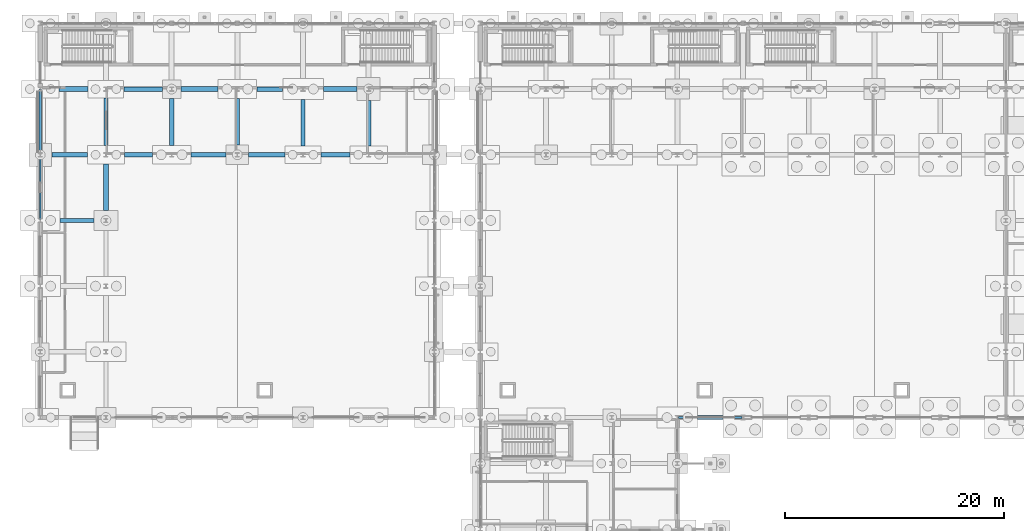
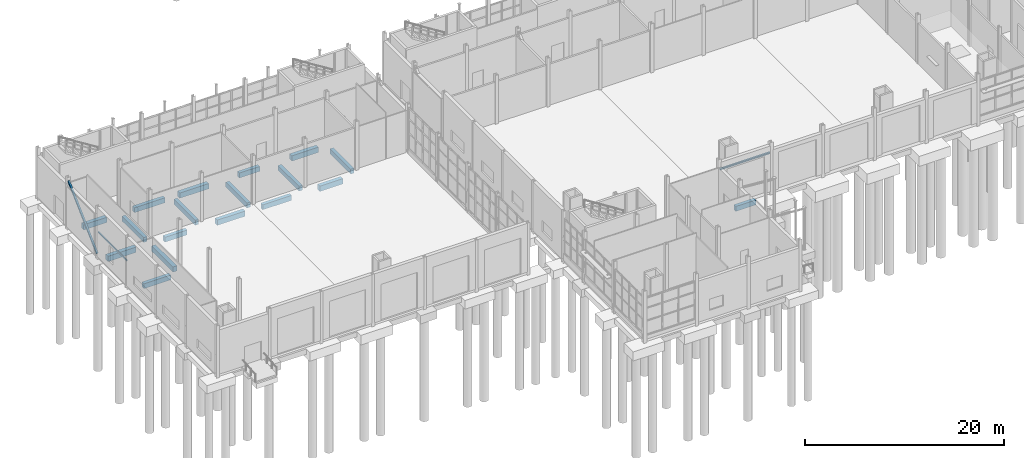
# One storey, part 34 of 120: 20 beams, 1 member.
"""IFC4 building model written with IfcOpenShell, lengths in metres."""

from ifc_helpers import new_model, si_unit, direction, frame, origin, origin_2d, place, context, subcontext, project, spatial, rectangle, hollow_rectangle, i_section, extrude, material, material_profile, profile_set, type_object, element, save


model = new_model("IFC4")

# Units and contexts
model_context = context("Model", 3, precision=1e-05, world=origin(), true_north=direction((0.0, 1.0)))
body_context = subcontext(model_context, "Body", "Model", "MODEL_VIEW")
ifc_project = project(units=[si_unit("LENGTHUNIT", "METRE"), si_unit("AREAUNIT", "SQUARE_METRE"), si_unit("VOLUMEUNIT", "CUBIC_METRE"), si_unit("PLANEANGLEUNIT", "RADIAN"), si_unit("MASSUNIT", "GRAM", prefix="KILO")], contexts=[model_context])

# Site, building, storey
site_placement = place(None, origin())
site = spatial("IfcSite", under=ifc_project, at=site_placement, CompositionType="ELEMENT")
building_placement = place(site_placement, origin())
building = spatial("IfcBuilding", under=site, at=building_placement, Name="Siltcreek Boulevard Central Fire Station", CompositionType="ELEMENT")
storey_placement = place(building_placement, origin())
storey = spatial("IfcBuildingStorey", under=building, at=storey_placement, Name="L01", CompositionType="ELEMENT", Elevation=0.0)

# Member
ifc_material_1 = material(Name="Structural steel ASTM A500 GrC", Category="steel")
ifc_material_profile_1 = material_profile(ifc_material_1, hollow_rectangle(XDim=0.199951171875, YDim=0.199951171875, WallThickness=0.009521484375, at=origin_2d()), Name="HSS200X200X9.5")
ifc_profile_set_1 = profile_set([ifc_material_profile_1], Name="Structural steel ASTM A500 GrC")
member_type = type_object("IfcMemberType", Name="BR_HSS200_9", PredefinedType="BRACE", material=ifc_profile_set_1)
member_placement = place(storey_placement, frame((1.800048828125, 42.1201171875, 0.10009765625), z_axis=(0.0, 0.726372446686, 0.687301293972), x_axis=(-1.0, 0.0, 0.0)))
element("IfcMember", 1, at=member_placement, inside=storey, type_object=member_type, Name="L01 SCBF concentrically braced frame BR-001", PredefinedType="BRACE", context=body_context, shape_type="SweptSolid", body=[
    extrude(hollow_rectangle(XDim=0.199951171875, YDim=0.199951171875, WallThickness=0.009521484375, at=origin_2d()), origin(), (0.0, 0.0, 1.0), 7.929443359375),
])

# Beams
ifc_material_2 = material(Name="Concrete C35/45", Category="concrete")
ifc_material_profile_2 = material_profile(ifc_material_2, rectangle(XDim=0.39990234375, YDim=0.60009765625, at=origin_2d()), Name="RC400X600")
ifc_profile_set_2 = profile_set([ifc_material_profile_2], Name="Concrete C35/45")
beam_type_1 = type_object("IfcBeamType", Name="GB_RC400X600", PredefinedType="USERDEFINED", material=ifc_profile_set_2)
beam_1_placement = place(storey_placement, frame((61.85205078125, 18.0, -0.7099609375), z_axis=(1.0, 0.0, 0.0), x_axis=(0.0, 1.0, 0.0)))
element("IfcBeam", 2, at=beam_1_placement, inside=storey, type_object=beam_type_1, Name="Reinforced concrete tie grade beam GB-033", ObjectType="GRADE BEAM", PredefinedType="USERDEFINED", context=body_context, shape_type="SweptSolid", body=[
    extrude(rectangle(XDim=0.39990234375, YDim=0.60009765625, at=origin_2d()), origin(), (0.0, 0.0, 1.0), 2.321044921875),
])
beam_2_placement = place(storey_placement, frame((3.60205078125, 36.0, -0.7099609375), z_axis=(1.0, 0.0, 0.0), x_axis=(0.0, 1.0, 0.0)))
element("IfcBeam", 3, at=beam_2_placement, inside=storey, type_object=beam_type_1, Name="Reinforced concrete tie grade beam GB-081", ObjectType="GRADE BEAM", PredefinedType="USERDEFINED", context=body_context, shape_type="SweptSolid", body=[
    extrude(rectangle(XDim=0.39990234375, YDim=0.60009765625, at=origin_2d()), origin(), (0.0, 0.0, 1.0), 3.095947265625),
])
beam_3_placement = place(storey_placement, frame((9.47705078125, 42.0, -0.7099609375), z_axis=(1.0, 0.0, 0.0), x_axis=(0.0, 1.0, 0.0)))
element("IfcBeam", 4, at=beam_3_placement, inside=storey, type_object=beam_type_1, Name="Reinforced concrete tie grade beam GB-087", ObjectType="GRADE BEAM", PredefinedType="USERDEFINED", context=body_context, shape_type="SweptSolid", body=[
    extrude(rectangle(XDim=0.39990234375, YDim=0.60009765625, at=origin_2d()), origin(), (0.0, 0.0, 1.0), 2.571044921875),
])
beam_4_placement = place(storey_placement, frame((20.826904296875, 42.0, -0.7099609375), z_axis=(1.0, 0.0, 0.0), x_axis=(0.0, 1.0, 0.0)))
element("IfcBeam", 5, at=beam_4_placement, inside=storey, type_object=beam_type_1, Name="Reinforced concrete tie grade beam GB-089", ObjectType="GRADE BEAM", PredefinedType="USERDEFINED", context=body_context, shape_type="SweptSolid", body=[
    extrude(rectangle(XDim=0.39990234375, YDim=0.60009765625, at=origin_2d()), origin(), (0.0, 0.0, 1.0), 3.34619140625),
])
beam_5_placement = place(storey_placement, frame((9.427001953125, 48.0, -0.7099609375), z_axis=(1.0, 0.0, 0.0), x_axis=(0.0, 1.0, 0.0)))
element("IfcBeam", 6, at=beam_5_placement, inside=storey, type_object=beam_type_1, Name="Reinforced concrete tie grade beam GB-105", ObjectType="GRADE BEAM", PredefinedType="USERDEFINED", context=body_context, shape_type="SweptSolid", body=[
    extrude(rectangle(XDim=0.39990234375, YDim=0.60009765625, at=origin_2d()), origin(), (0.0, 0.0, 1.0), 3.52099609375),
])
beam_6_placement = place(storey_placement, frame((21.576904296875, 48.0, -0.7099609375), z_axis=(1.0, 0.0, 0.0), x_axis=(0.0, 1.0, 0.0)))
element("IfcBeam", 7, at=beam_6_placement, inside=storey, type_object=beam_type_1, Name="Reinforced concrete tie grade beam GB-107", ObjectType="GRADE BEAM", PredefinedType="USERDEFINED", context=body_context, shape_type="SweptSolid", body=[
    extrude(rectangle(XDim=0.39990234375, YDim=0.60009765625, at=origin_2d()), origin(), (0.0, 0.0, 1.0), 2.37109375),
])
beam_7_placement = place(storey_placement, frame((7.800048828125, 42.826904296875, -0.7099609375), z_axis=(0.0, 1.0, 0.0), x_axis=(-1.0, 0.0, 0.0)))
element("IfcBeam", 8, at=beam_7_placement, inside=storey, type_object=beam_type_1, Name="Reinforced concrete tie grade beam GB-143", ObjectType="GRADE BEAM", PredefinedType="USERDEFINED", context=body_context, shape_type="SweptSolid", body=[
    extrude(rectangle(XDim=0.39990234375, YDim=0.60009765625, at=origin_2d()), origin(), (0.0, 0.0, 1.0), 4.37109375),
])
beam_8_placement = place(storey_placement, frame((13.800048828125, 42.85205078125, -0.7099609375), z_axis=(0.0, 1.0, 0.0), x_axis=(-1.0, 0.0, 0.0)))
element("IfcBeam", 9, at=beam_8_placement, inside=storey, type_object=beam_type_1, Name="Reinforced concrete tie grade beam GB-145", ObjectType="GRADE BEAM", PredefinedType="USERDEFINED", context=body_context, shape_type="SweptSolid", body=[
    extrude(rectangle(XDim=0.39990234375, YDim=0.60009765625, at=origin_2d()), origin(), (0.0, 0.0, 1.0), 4.2958984375),
])
for number, where, z_axis, x_axis, name in (
    (10, (19.800048828125, 42.876953125, -0.7099609375), (0.0, 1.0, 0.0), (-1.0, 0.0, 0.0), "Reinforced concrete tie grade beam GB-147"),
    (11, (25.800048828125, 42.802001953125, -0.7099609375), (0.0, 1.0, 0.0), (-1.0, 0.0, 0.0), "Reinforced concrete tie grade beam GB-149"),
):
    element("IfcBeam", number, at=place(storey_placement, frame(where, z_axis=z_axis, x_axis=x_axis)), inside=storey, type_object=beam_type_1, Name=name, ObjectType="GRADE BEAM", PredefinedType="USERDEFINED", context=body_context, shape_type="SweptSolid", body=[
        extrude(rectangle(XDim=0.39990234375, YDim=0.60009765625, at=origin_2d()), origin(), (0.0, 0.0, 1.0), 4.24609375),
    ])
beam_9_placement = place(storey_placement, frame((31.800048828125, 42.802001953125, -0.7099609375), z_axis=(0.0, 1.0, 0.0), x_axis=(-1.0, 0.0, 0.0)))
element("IfcBeam", 12, at=beam_9_placement, inside=storey, type_object=beam_type_1, Name="Reinforced concrete tie grade beam GB-151", ObjectType="GRADE BEAM", PredefinedType="USERDEFINED", context=body_context, shape_type="SweptSolid", body=[
    extrude(rectangle(XDim=0.39990234375, YDim=0.60009765625, at=origin_2d()), origin(), (0.0, 0.0, 1.0), 4.14599609375),
])
ifc_material_profile_3 = material_profile(ifc_material_2, rectangle(XDim=0.449951171875, YDim=0.64990234375, at=origin_2d()), Name="RC450X650")
ifc_profile_set_3 = profile_set([ifc_material_profile_3], Name="Concrete C35/45")
beam_type_2 = type_object("IfcBeamType", Name="GB_RC450X650", PredefinedType="USERDEFINED", material=ifc_profile_set_3)
beam_10_placement = place(storey_placement, frame((2.85205078125, 42.0, -0.735107421875), z_axis=(1.0, 0.0, 0.0), x_axis=(0.0, 1.0, 0.0)))
element("IfcBeam", 13, at=beam_10_placement, inside=storey, type_object=beam_type_2, Name="Reinforced concrete tie grade beam GB-086", ObjectType="GRADE BEAM", PredefinedType="USERDEFINED", context=body_context, shape_type="SweptSolid", body=[
    extrude(rectangle(XDim=0.449951171875, YDim=0.64990234375, at=origin_2d()), origin(), (0.0, 0.0, 1.0), 3.27099609375),
])
beam_11_placement = place(storey_placement, frame((15.552001953125, 42.0, -0.735107421875), z_axis=(1.0, 0.0, 0.0), x_axis=(0.0, 1.0, 0.0)))
element("IfcBeam", 14, at=beam_11_placement, inside=storey, type_object=beam_type_2, Name="Reinforced concrete tie grade beam GB-088", ObjectType="GRADE BEAM", PredefinedType="USERDEFINED", context=body_context, shape_type="SweptSolid", body=[
    extrude(rectangle(XDim=0.449951171875, YDim=0.64990234375, at=origin_2d()), origin(), (0.0, 0.0, 1.0), 3.220947265625),
])
beam_12_placement = place(storey_placement, frame((27.427001953125, 42.0, -0.735107421875), z_axis=(1.0, 0.0, 0.0), x_axis=(0.0, 1.0, 0.0)))
element("IfcBeam", 15, at=beam_12_placement, inside=storey, type_object=beam_type_2, Name="Reinforced concrete tie grade beam GB-090", ObjectType="GRADE BEAM", PredefinedType="USERDEFINED", context=body_context, shape_type="SweptSolid", body=[
    extrude(rectangle(XDim=0.449951171875, YDim=0.64990234375, at=origin_2d()), origin(), (0.0, 0.0, 1.0), 2.6708984375),
])
beam_13_placement = place(storey_placement, frame((3.501953125, 48.0, -0.735107421875), z_axis=(1.0, 0.0, 0.0), x_axis=(0.0, 1.0, 0.0)))
element("IfcBeam", 16, at=beam_13_placement, inside=storey, type_object=beam_type_2, Name="Reinforced concrete tie grade beam GB-104", ObjectType="GRADE BEAM", PredefinedType="USERDEFINED", context=body_context, shape_type="SweptSolid", body=[
    extrude(rectangle(XDim=0.449951171875, YDim=0.64990234375, at=origin_2d()), origin(), (0.0, 0.0, 1.0), 2.671142578125),
])
beam_14_placement = place(storey_placement, frame((14.652099609375, 48.0, -0.735107421875), z_axis=(1.0, 0.0, 0.0), x_axis=(0.0, 1.0, 0.0)))
element("IfcBeam", 17, at=beam_14_placement, inside=storey, type_object=beam_type_2, Name="Reinforced concrete tie grade beam GB-106", ObjectType="GRADE BEAM", PredefinedType="USERDEFINED", context=body_context, shape_type="SweptSolid", body=[
    extrude(rectangle(XDim=0.449951171875, YDim=0.64990234375, at=origin_2d()), origin(), (0.0, 0.0, 1.0), 3.370849609375),
])
beam_15_placement = place(storey_placement, frame((27.652099609375, 48.0, -0.735107421875), z_axis=(1.0, 0.0, 0.0), x_axis=(0.0, 1.0, 0.0)))
element("IfcBeam", 18, at=beam_15_placement, inside=storey, type_object=beam_type_2, Name="Reinforced concrete tie grade beam GB-108", ObjectType="GRADE BEAM", PredefinedType="USERDEFINED", context=body_context, shape_type="SweptSolid", body=[
    extrude(rectangle(XDim=0.449951171875, YDim=0.64990234375, at=origin_2d()), origin(), (0.0, 0.0, 1.0), 3.095947265625),
])
beam_16_placement = place(storey_placement, frame((7.800048828125, 36.902099609375, -0.735107421875), z_axis=(0.0, 1.0, 0.0), x_axis=(-1.0, 0.0, 0.0)))
element("IfcBeam", 19, at=beam_16_placement, inside=storey, type_object=beam_type_2, Name="Reinforced concrete tie grade beam GB-142", ObjectType="GRADE BEAM", PredefinedType="USERDEFINED", context=body_context, shape_type="SweptSolid", body=[
    extrude(rectangle(XDim=0.449951171875, YDim=0.64990234375, at=origin_2d()), origin(), (0.0, 0.0, 1.0), 4.27099609375),
])
ifc_material_profile_4 = material_profile(ifc_material_1, hollow_rectangle(XDim=0.10009765625, YDim=0.14990234375, WallThickness=0.00634765625, at=origin_2d()), Name="HSS150X100X6.4")
ifc_profile_set_4 = profile_set([ifc_material_profile_4], Name="Structural steel ASTM A500 GrC")
beam_type_3 = type_object("IfcBeamType", Name="LIN_HSS150X100", PredefinedType="LINTEL", material=ifc_profile_set_4)
beam_17_placement = place(storey_placement, frame((1.800048828125, 41.89990234375, 2.889892578125), z_axis=(0.0, -1.0, 0.0), x_axis=(1.0, 0.0, 0.0)))
element("IfcBeam", 20, at=beam_17_placement, inside=storey, type_object=beam_type_3, Name="Exterior window steel lintel WLN-41", PredefinedType="LINTEL", context=body_context, shape_type="SweptSolid", body=[
    extrude(hollow_rectangle(XDim=0.10009765625, YDim=0.14990234375, WallThickness=0.00634765625, at=origin_2d()), origin(), (0.0, 0.0, 1.0), 5.7998046875),
])
ifc_material_3 = material(Name="Structural steel ASTM A992 Gr50", Category="steel")
ifc_material_profile_5 = material_profile(ifc_material_3, i_section(OverallWidth=0.1650390625, OverallDepth=0.200927734375, WebThickness=0.006103515625, FlangeThickness=0.01025390625, at=origin_2d()), Name="W200X36")
ifc_profile_set_5 = profile_set([ifc_material_profile_5], Name="Structural steel ASTM A992 Gr50")
beam_type_4 = type_object("IfcBeamType", Name="LIN_W200X36", PredefinedType="LINTEL", material=ifc_profile_set_5)
beam_18_placement = place(storey_placement, frame((60.10009765625, 18.0, 4.669921875), z_axis=(1.0, 0.0, 0.0), x_axis=(0.0, 1.0, 0.0)))
element("IfcBeam", 21, at=beam_18_placement, inside=storey, type_object=beam_type_4, Name="Apparatus bay header lintel beam LN-003", PredefinedType="LINTEL", context=body_context, shape_type="SweptSolid", body=[
    extrude(i_section(OverallWidth=0.1650390625, OverallDepth=0.200927734375, WebThickness=0.006103515625, FlangeThickness=0.01025390625, at=origin_2d()), origin(), (0.0, 0.0, 1.0), 5.7998046875),
])

save(model, "model.ifc")
